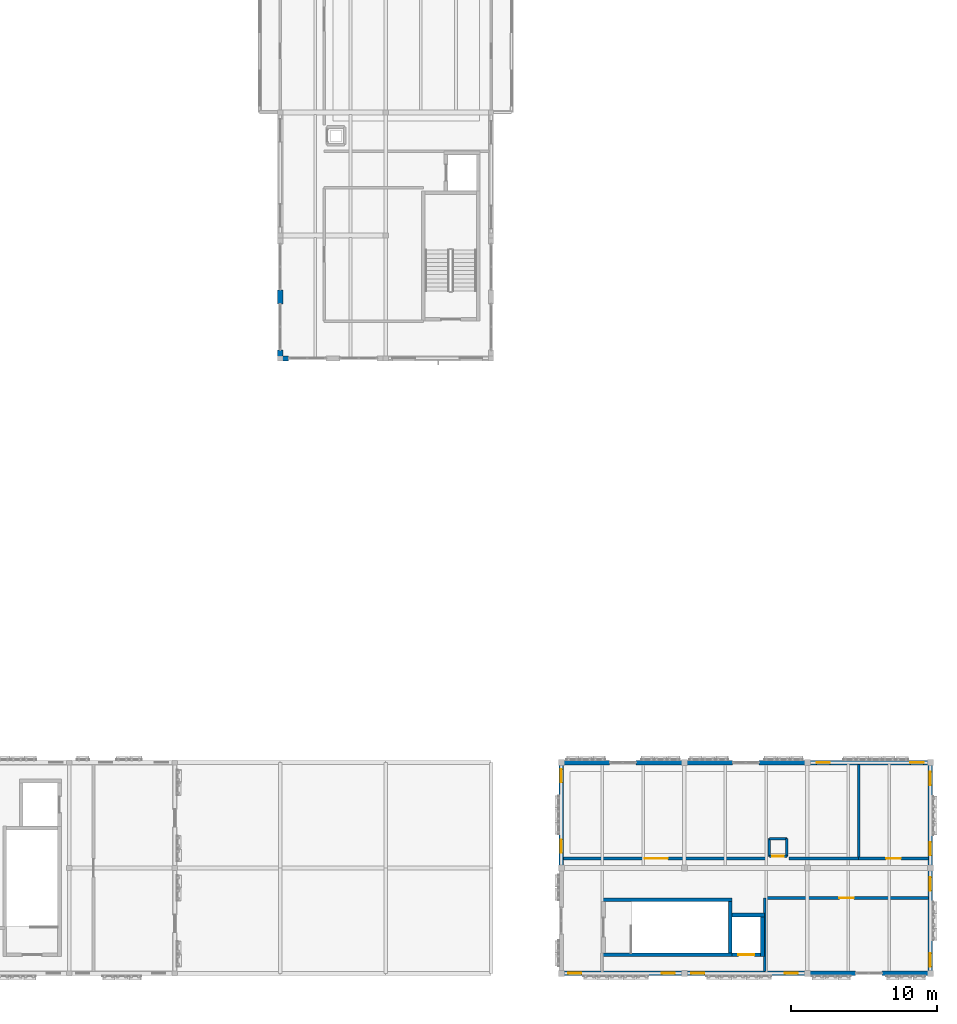
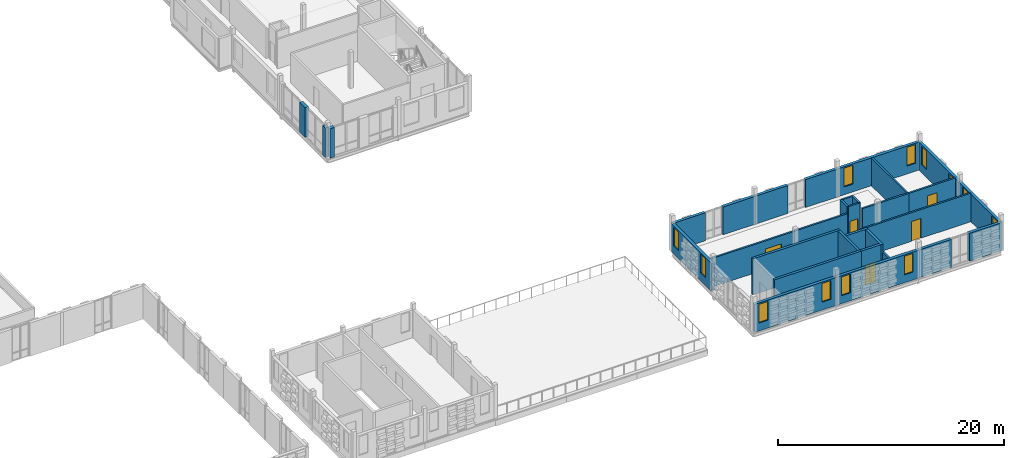
# One storey, part 38 of 57: 31 walls, 12 windows, 5 doors, 17 openings.
"""IFC4 building model written with IfcOpenShell, lengths in metres."""

from ifc_helpers import new_model, si_unit, direction, frame, frame_2d, origin, place, context, subcontext, project, spatial, rectangle, extrude, material, layer, layer_set, type_object, element, fill, save


model = new_model("IFC4")

# Units and contexts
model_context = context("Model", 3, precision=1e-05, world=origin(), true_north=direction((0.0, 1.0)))
body_context = subcontext(model_context, "Body", "Model", "MODEL_VIEW")
ifc_project = project(units=[si_unit("LENGTHUNIT", "METRE"), si_unit("AREAUNIT", "SQUARE_METRE"), si_unit("VOLUMEUNIT", "CUBIC_METRE"), si_unit("PLANEANGLEUNIT", "RADIAN"), si_unit("MASSUNIT", "GRAM", prefix="KILO")], contexts=[model_context])

# Site, building, storey
site_placement = place(None, origin())
site = spatial("IfcSite", under=ifc_project, at=site_placement, CompositionType="ELEMENT")
building_placement = place(site_placement, origin())
building = spatial("IfcBuilding", under=site, at=building_placement, Name="Kahlenmark Community Centre", CompositionType="ELEMENT")
storey_placement = place(building_placement, frame((0.0, 0.0, 13.800048828125)))
storey = spatial("IfcBuildingStorey", under=building, at=storey_placement, Name="L03", CompositionType="ELEMENT", Elevation=13.800048828125)

# Walls
ifc_material_1 = material(Name="Concrete C35/45", Category="concrete")
ifc_layer_1 = layer(ifc_material_1, 0.25)
ifc_layer_set_1 = layer_set([ifc_layer_1], Name="Concrete C35/45")
wall_type_1 = type_object("IfcWallType", Name="WT-CORE-250", PredefinedType="SHEAR", material=ifc_layer_set_1)
for number, where, z_axis, x_axis, name in (
    (1, (94.35009765625, 10.074951171875, 0.0), (0.0, 0.0, 1.0), (1.0, 0.0, 0.0), "Core K7 shear wall WL-CORE-K7-L03-0275"),
    (2, (94.35009765625, 13.824951171875, 0.0), (0.0, 0.0, 1.0), (1.0, 0.0, 0.0), "Core K7 shear wall WL-CORE-K7-L03-0276"),
):
    element("IfcWall", number, at=place(storey_placement, frame(where, z_axis=z_axis, x_axis=x_axis)), inside=storey, type_object=wall_type_1, Name=name, PredefinedType="SHEAR", context=body_context, shape_type="SweptSolid", body=[
        extrude(rectangle(XDim=8.89990234375, YDim=0.25, at=frame_2d((4.449951171875, 0.0))), origin(), (0.0, 0.0, 1.0), 3.89990234375),
    ])
wall_1_placement = place(storey_placement, frame((103.125, 10.199951171875, 0.0), z_axis=(0.0, 0.0, 1.0), x_axis=(0.0, 1.0, 0.0)))
element("IfcWall", 3, at=wall_1_placement, inside=storey, type_object=wall_type_1, Name="Core K7 shear wall WL-CORE-K7-L03-0277", PredefinedType="SHEAR", context=body_context, shape_type="SweptSolid", body=[
    extrude(rectangle(XDim=3.5, YDim=0.25, at=frame_2d((1.75, 0.0))), origin(), (0.0, 0.0, 1.0), 3.89990234375),
])
wall_2_placement = place(storey_placement, frame((103.25, 12.784912109375, 0.0), z_axis=(0.0, 0.0, 1.0), x_axis=(1.0, 0.0, 0.0)))
element("IfcWall", 4, at=wall_2_placement, inside=storey, type_object=wall_type_1, Name="Core K7 shear wall WL-CORE-K7-L03-0278", PredefinedType="SHEAR", context=body_context, shape_type="SweptSolid", body=[
    extrude(rectangle(XDim=2.2099609375, YDim=0.25, at=frame_2d((1.10498046875, 0.0))), origin(), (0.0, 0.0, 1.0), 3.89990234375),
])
wall_3_placement = place(storey_placement, frame((105.3349609375, 9.949951171875, 0.0), z_axis=(0.0, 0.0, 1.0), x_axis=(0.0, 1.0, 0.0)))
element("IfcWall", 5, at=wall_3_placement, inside=storey, type_object=wall_type_1, Name="Core K7 shear wall WL-CORE-K7-L03-0279", PredefinedType="SHEAR", context=body_context, shape_type="SweptSolid", body=[
    extrude(rectangle(XDim=2.9599609375, YDim=0.25, at=frame_2d((1.47998046875, 0.0))), origin(), (0.0, 0.0, 1.0), 3.89990234375),
])

# Wall, opening, door
wall_4_placement = place(storey_placement, frame((103.25, 10.074951171875, 0.0), z_axis=(0.0, 0.0, 1.0), x_axis=(1.0, 0.0, 0.0)))
wall_4 = element("IfcWall", 6, at=wall_4_placement, inside=storey, type_object=wall_type_1, Name="Core K7 shear wall WL-CORE-K7-L03-0280", PredefinedType="SHEAR", context=body_context, shape_type="SweptSolid", body=[
    extrude(rectangle(XDim=1.9599609375, YDim=0.25, at=frame_2d((0.97998046875, 0.0))), origin(), (0.0, 0.0, 1.0), 3.89990234375),
])
opening_1_placement = place(wall_4_placement, frame((0.429931640625, 0.0, -0.010009765625)))
opening_1 = element("IfcOpeningElement", 7, at=opening_1_placement, cuts=wall_4, Name="Opening LD-7", PredefinedType="OPENING", context=body_context, shape_type="SweptSolid", body=[
    extrude(rectangle(XDim=1.10009765625, YDim=2.159912109375, at=frame_2d((0.550048828125, 1.080078125))), frame((0.0, 0.135009765625, 0.0), z_axis=(0.0, -1.0, 0.0), x_axis=(1.0, 0.0, 0.0)), (0.0, 0.0, 1.0), 0.27001953125),
])
ifc_material_2 = material(Name="Brushed stainless steel sliding lift landing door", Category="steel")
door_type_1 = type_object("IfcDoorType", Name="DT-LD-K7", OperationType="SLIDING_TO_LEFT", PredefinedType="DOOR", material=ifc_material_2)
door_1_placement = place(opening_1_placement, frame((0.0, 0.0, 0.010009765625)))
door_1 = element("IfcDoor", 8, at=door_1_placement, inside=storey, type_object=door_type_1, Name="Lift LF-07 sliding landing door L03", OperationType="SLIDING_TO_LEFT", OverallHeight=2.14990234375, OverallWidth=1.10009765625, PredefinedType="DOOR", context=body_context, shape_type="SweptSolid", body=[
    extrude(rectangle(XDim=1.10009765625, YDim=2.14990234375, at=frame_2d((0.550048828125, 1.074951171875))), frame((0.0, 0.02490234375, 0.0), z_axis=(0.0, -1.0, 0.0), x_axis=(1.0, 0.0, 0.0)), (0.0, 0.0, 1.0), 0.050048828125),
])
fill(opening_1, door_1)

# Wall, openings, windows
ifc_material_3 = material(Name="Cross-laminated timber CLT C24", Category="wood")
ifc_layer_2 = layer(ifc_material_3, 0.300048828125)
ifc_layer_set_2 = layer_set([ifc_layer_2], Name="Cross-laminated timber CLT C24")
wall_type_2 = type_object("IfcWallType", Name="WT-EW-300", PredefinedType="SOLIDWALL", material=ifc_layer_set_2)
wall_5_placement = place(storey_placement, frame((91.60009765625, 8.800048828125, 0.0), z_axis=(0.0, 0.0, 1.0), x_axis=(1.0, 0.0, 0.0)))
wall_5 = element("IfcWall", 9, at=wall_5_placement, inside=storey, type_object=wall_type_2, Name="Exterior wall WL-EXT-L03-0625", PredefinedType="SOLIDWALL", context=body_context, shape_type="SweptSolid", body=[
    extrude(rectangle(XDim=8.39990234375, YDim=0.300048828125, at=frame_2d((4.199951171875, 0.0))), origin(), (0.0, 0.0, 1.0), 3.010009765625),
])
opening_2_placement = place(wall_5_placement, frame((0.4599609375, 0.0, 0.85009765625)))
opening_2 = element("IfcOpeningElement", 10, at=opening_2_placement, cuts=wall_5, Name="Opening W-090X202", PredefinedType="OPENING", context=body_context, shape_type="SweptSolid", body=[
    extrude(rectangle(XDim=0.89990234375, YDim=2.02001953125, at=frame_2d((0.449951171875, 1.010009765625))), frame((0.0, 0.159912109375, 0.0), z_axis=(0.0, -1.0, 0.0), x_axis=(1.0, 0.0, 0.0)), (0.0, 0.0, 1.0), 0.320068359375),
])
opening_3_placement = place(wall_5_placement, frame((6.860107421875, 0.0, 0.85009765625)))
opening_3 = element("IfcOpeningElement", 11, at=opening_3_placement, cuts=wall_5, Name="Opening W-090X202", PredefinedType="OPENING", context=body_context, shape_type="SweptSolid", body=[
    extrude(rectangle(XDim=0.89990234375, YDim=2.02001953125, at=frame_2d((0.449951171875, 1.010009765625))), frame((0.0, 0.159912109375, 0.0), z_axis=(0.0, -1.0, 0.0), x_axis=(1.0, 0.0, 0.0)), (0.0, 0.0, 1.0), 0.320068359375),
])
ifc_material_4 = material(Name="Recessed basketweave aperture triple glazing", Category="glass")
window_type = type_object("IfcWindowType", Name="WNT-090X202", PartitioningType="SINGLE_PANEL", PredefinedType="WINDOW", material=ifc_material_4)
window_1_placement = place(opening_2_placement, origin())
window_1 = element("IfcWindow", 12, at=window_1_placement, inside=storey, type_object=window_type, Name="Window W-090X202 #0397", OverallHeight=2.02001953125, OverallWidth=0.89990234375, PartitioningType="SINGLE_PANEL", PredefinedType="WINDOW", context=body_context, shape_type="SweptSolid", body=[
    extrude(rectangle(XDim=0.89990234375, YDim=2.02001953125, at=frame_2d((0.449951171875, 1.010009765625))), frame((0.0, 0.030029296875, 0.0), z_axis=(0.0, -1.0, 0.0), x_axis=(1.0, 0.0, 0.0)), (0.0, 0.0, 1.0), 0.06005859375),
])
fill(opening_2, window_1)
window_2_placement = place(opening_3_placement, origin())
window_2 = element("IfcWindow", 13, at=window_2_placement, inside=storey, type_object=window_type, Name="Window W-090X202 #0398", OverallHeight=2.02001953125, OverallWidth=0.89990234375, PartitioningType="SINGLE_PANEL", PredefinedType="WINDOW", context=body_context, shape_type="SweptSolid", body=[
    extrude(rectangle(XDim=0.89990234375, YDim=2.02001953125, at=frame_2d((0.449951171875, 1.010009765625))), frame((0.0, 0.030029296875, 0.0), z_axis=(0.0, -1.0, 0.0), x_axis=(1.0, 0.0, 0.0)), (0.0, 0.0, 1.0), 0.06005859375),
])
fill(opening_3, window_2)

wall_6_placement = place(storey_placement, frame((100.0, 8.800048828125, 0.0), z_axis=(0.0, 0.0, 1.0), x_axis=(1.0, 0.0, 0.0)))
wall_6 = element("IfcWall", 14, at=wall_6_placement, inside=storey, type_object=wall_type_2, Name="Exterior wall WL-EXT-L03-0626", PredefinedType="SOLIDWALL", context=body_context, shape_type="SweptSolid", body=[
    extrude(rectangle(XDim=8.39990234375, YDim=0.300048828125, at=frame_2d((4.199951171875, 0.0))), origin(), (0.0, 0.0, 1.0), 3.010009765625),
])
opening_4_placement = place(wall_6_placement, frame((0.4599609375, 0.0, 0.85009765625)))
opening_4 = element("IfcOpeningElement", 15, at=opening_4_placement, cuts=wall_6, Name="Opening W-090X202", PredefinedType="OPENING", context=body_context, shape_type="SweptSolid", body=[
    extrude(rectangle(XDim=0.89990234375, YDim=2.02001953125, at=frame_2d((0.449951171875, 1.010009765625))), frame((0.0, 0.159912109375, 0.0), z_axis=(0.0, -1.0, 0.0), x_axis=(1.0, 0.0, 0.0)), (0.0, 0.0, 1.0), 0.320068359375),
])
opening_5_placement = place(wall_6_placement, frame((6.860107421875, 0.0, 0.85009765625)))
opening_5 = element("IfcOpeningElement", 16, at=opening_5_placement, cuts=wall_6, Name="Opening W-090X202", PredefinedType="OPENING", context=body_context, shape_type="SweptSolid", body=[
    extrude(rectangle(XDim=0.89990234375, YDim=2.02001953125, at=frame_2d((0.449951171875, 1.010009765625))), frame((0.0, 0.159912109375, 0.0), z_axis=(0.0, -1.0, 0.0), x_axis=(1.0, 0.0, 0.0)), (0.0, 0.0, 1.0), 0.320068359375),
])
window_3_placement = place(opening_4_placement, origin())
window_3 = element("IfcWindow", 17, at=window_3_placement, inside=storey, type_object=window_type, Name="Window W-090X202 #0399", OverallHeight=2.02001953125, OverallWidth=0.89990234375, PartitioningType="SINGLE_PANEL", PredefinedType="WINDOW", context=body_context, shape_type="SweptSolid", body=[
    extrude(rectangle(XDim=0.89990234375, YDim=2.02001953125, at=frame_2d((0.449951171875, 1.010009765625))), frame((0.0, 0.030029296875, 0.0), z_axis=(0.0, -1.0, 0.0), x_axis=(1.0, 0.0, 0.0)), (0.0, 0.0, 1.0), 0.06005859375),
])
fill(opening_4, window_3)
window_4_placement = place(opening_5_placement, origin())
window_4 = element("IfcWindow", 18, at=window_4_placement, inside=storey, type_object=window_type, Name="Window W-090X202 #0400", OverallHeight=2.02001953125, OverallWidth=0.89990234375, PartitioningType="SINGLE_PANEL", PredefinedType="WINDOW", context=body_context, shape_type="SweptSolid", body=[
    extrude(rectangle(XDim=0.89990234375, YDim=2.02001953125, at=frame_2d((0.449951171875, 1.010009765625))), frame((0.0, 0.030029296875, 0.0), z_axis=(0.0, -1.0, 0.0), x_axis=(1.0, 0.0, 0.0)), (0.0, 0.0, 1.0), 0.06005859375),
])
fill(opening_5, window_4)

# Walls
for number, where, z_axis, x_axis, name in (
    (19, (108.39990234375, 8.800048828125, 0.0), (0.0, 0.0, 1.0), (1.0, 0.0, 0.0), "Basketweave backup wall WL-EXT-L03-0627"),
    (20, (113.5, 8.800048828125, 0.0), (0.0, 0.0, 1.0), (1.0, 0.0, 0.0), "Basketweave backup wall WL-EXT-L03-0628"),
    (21, (100.0, 23.199951171875, 0.0), (0.0, 0.0, 1.0), (-1.0, 0.0, 0.0), "Basketweave backup wall WL-EXT-L03-0629"),
):
    element("IfcWall", number, at=place(storey_placement, frame(where, z_axis=z_axis, x_axis=x_axis)), inside=storey, type_object=wall_type_2, Name=name, PredefinedType="SOLIDWALL", context=body_context, shape_type="SweptSolid", body=[
        extrude(rectangle(XDim=3.300048828125, YDim=0.300048828125, at=frame_2d((1.64990234375, 0.0))), origin(), (0.0, 0.0, 1.0), 3.010009765625),
    ])
for number, where, z_axis, x_axis, name in (
    (22, (94.89990234375, 23.199951171875, 0.0), (0.0, 0.0, 1.0), (-1.0, 0.0, 0.0), "Basketweave backup wall WL-EXT-L03-0630"),
    (23, (108.39990234375, 23.199951171875, 0.0), (0.0, 0.0, 1.0), (-1.0, 0.0, 0.0), "Basketweave backup wall WL-EXT-L03-0631"),
):
    element("IfcWall", number, at=place(storey_placement, frame(where, z_axis=z_axis, x_axis=x_axis)), inside=storey, type_object=wall_type_2, Name=name, PredefinedType="SOLIDWALL", context=body_context, shape_type="SweptSolid", body=[
        extrude(rectangle(XDim=3.2998046875, YDim=0.300048828125, at=frame_2d((1.64990234375, 0.0))), origin(), (0.0, 0.0, 1.0), 3.010009765625),
    ])
wall_7_placement = place(storey_placement, frame((103.300048828125, 23.199951171875, 0.0), z_axis=(0.0, 0.0, 1.0), x_axis=(-1.0, 0.0, 0.0)))
element("IfcWall", 24, at=wall_7_placement, inside=storey, type_object=wall_type_2, Name="Basketweave backup wall WL-EXT-L03-0632", PredefinedType="SOLIDWALL", context=body_context, shape_type="SweptSolid", body=[
    extrude(rectangle(XDim=3.300048828125, YDim=0.300048828125, at=frame_2d((1.64990234375, 0.0))), origin(), (0.0, 0.0, 1.0), 3.010009765625),
])

# Wall, openings, windows
wall_8_placement = place(storey_placement, frame((116.800048828125, 23.199951171875, 0.0), z_axis=(0.0, 0.0, 1.0), x_axis=(-1.0, 0.0, 0.0)))
wall_8 = element("IfcWall", 25, at=wall_8_placement, inside=storey, type_object=wall_type_2, Name="Exterior wall WL-EXT-L03-0633", PredefinedType="SOLIDWALL", context=body_context, shape_type="SweptSolid", body=[
    extrude(rectangle(XDim=8.400146484375, YDim=0.300048828125, at=frame_2d((4.2001953125, 0.0))), origin(), (0.0, 0.0, 1.0), 3.010009765625),
])
opening_6_placement = place(wall_8_placement, frame((0.4599609375, 0.0, 0.85009765625)))
opening_6 = element("IfcOpeningElement", 26, at=opening_6_placement, cuts=wall_8, Name="Opening W-090X202", PredefinedType="OPENING", context=body_context, shape_type="SweptSolid", body=[
    extrude(rectangle(XDim=0.89990234375, YDim=2.02001953125, at=frame_2d((0.449951171875, 1.010009765625))), frame((0.0, 0.159912109375, 0.0), z_axis=(0.0, -1.0, 0.0), x_axis=(1.0, 0.0, 0.0)), (0.0, 0.0, 1.0), 0.320068359375),
])
opening_7_placement = place(wall_8_placement, frame((6.860107421875, 0.0, 0.85009765625)))
opening_7 = element("IfcOpeningElement", 27, at=opening_7_placement, cuts=wall_8, Name="Opening W-090X202", PredefinedType="OPENING", context=body_context, shape_type="SweptSolid", body=[
    extrude(rectangle(XDim=0.89990234375, YDim=2.02001953125, at=frame_2d((0.449951171875, 1.010009765625))), frame((0.0, 0.159912109375, 0.0), z_axis=(0.0, -1.0, 0.0), x_axis=(1.0, 0.0, 0.0)), (0.0, 0.0, 1.0), 0.320068359375),
])
window_5_placement = place(opening_6_placement, origin())
window_5 = element("IfcWindow", 28, at=window_5_placement, inside=storey, type_object=window_type, Name="Window W-090X202 #0401", OverallHeight=2.02001953125, OverallWidth=0.89990234375, PartitioningType="SINGLE_PANEL", PredefinedType="WINDOW", context=body_context, shape_type="SweptSolid", body=[
    extrude(rectangle(XDim=0.89990234375, YDim=2.02001953125, at=frame_2d((0.449951171875, 1.010009765625))), frame((0.0, 0.030029296875, 0.0), z_axis=(0.0, -1.0, 0.0), x_axis=(1.0, 0.0, 0.0)), (0.0, 0.0, 1.0), 0.06005859375),
])
fill(opening_6, window_5)
window_6_placement = place(opening_7_placement, origin())
window_6 = element("IfcWindow", 29, at=window_6_placement, inside=storey, type_object=window_type, Name="Window W-090X202 #0402", OverallHeight=2.02001953125, OverallWidth=0.89990234375, PartitioningType="SINGLE_PANEL", PredefinedType="WINDOW", context=body_context, shape_type="SweptSolid", body=[
    extrude(rectangle(XDim=0.89990234375, YDim=2.02001953125, at=frame_2d((0.449951171875, 1.010009765625))), frame((0.0, 0.030029296875, 0.0), z_axis=(0.0, -1.0, 0.0), x_axis=(1.0, 0.0, 0.0)), (0.0, 0.0, 1.0), 0.06005859375),
])
fill(opening_7, window_6)

wall_9_placement = place(storey_placement, frame((91.60009765625, 23.199951171875, 0.0), z_axis=(0.0, 0.0, 1.0), x_axis=(0.0, -1.0, 0.0)))
wall_9 = element("IfcWall", 30, at=wall_9_placement, inside=storey, type_object=wall_type_2, Name="Exterior wall WL-EXT-L03-0636", PredefinedType="SOLIDWALL", context=body_context, shape_type="SweptSolid", body=[
    extrude(rectangle(XDim=7.199951171875, YDim=0.300048828125, at=frame_2d((3.60009765625, 0.0))), origin(), (0.0, 0.0, 1.0), 3.010009765625),
])
opening_8_placement = place(wall_9_placement, frame((0.4599609375, 0.0, 0.85009765625)))
opening_8 = element("IfcOpeningElement", 31, at=opening_8_placement, cuts=wall_9, Name="Opening W-090X202", PredefinedType="OPENING", context=body_context, shape_type="SweptSolid", body=[
    extrude(rectangle(XDim=0.89990234375, YDim=2.02001953125, at=frame_2d((0.449951171875, 1.010009765625))), frame((0.0, 0.159912109375, 0.0), z_axis=(0.0, -1.0, 0.0), x_axis=(1.0, 0.0, 0.0)), (0.0, 0.0, 1.0), 0.320068359375),
])
opening_9_placement = place(wall_9_placement, frame((5.260009765625, 0.0, 0.85009765625)))
opening_9 = element("IfcOpeningElement", 32, at=opening_9_placement, cuts=wall_9, Name="Opening W-090X202", PredefinedType="OPENING", context=body_context, shape_type="SweptSolid", body=[
    extrude(rectangle(XDim=0.89990234375, YDim=2.02001953125, at=frame_2d((0.449951171875, 1.010009765625))), frame((0.0, 0.159912109375, 0.0), z_axis=(0.0, -1.0, 0.0), x_axis=(1.0, 0.0, 0.0)), (0.0, 0.0, 1.0), 0.320068359375),
])
window_7_placement = place(opening_8_placement, origin())
window_7 = element("IfcWindow", 33, at=window_7_placement, inside=storey, type_object=window_type, Name="Window W-090X202 #0403", OverallHeight=2.02001953125, OverallWidth=0.89990234375, PartitioningType="SINGLE_PANEL", PredefinedType="WINDOW", context=body_context, shape_type="SweptSolid", body=[
    extrude(rectangle(XDim=0.89990234375, YDim=2.02001953125, at=frame_2d((0.449951171875, 1.010009765625))), frame((0.0, 0.030029296875, 0.0), z_axis=(0.0, -1.0, 0.0), x_axis=(1.0, 0.0, 0.0)), (0.0, 0.0, 1.0), 0.06005859375),
])
fill(opening_8, window_7)
window_8_placement = place(opening_9_placement, origin())
window_8 = element("IfcWindow", 34, at=window_8_placement, inside=storey, type_object=window_type, Name="Window W-090X202 #0404", OverallHeight=2.02001953125, OverallWidth=0.89990234375, PartitioningType="SINGLE_PANEL", PredefinedType="WINDOW", context=body_context, shape_type="SweptSolid", body=[
    extrude(rectangle(XDim=0.89990234375, YDim=2.02001953125, at=frame_2d((0.449951171875, 1.010009765625))), frame((0.0, 0.030029296875, 0.0), z_axis=(0.0, -1.0, 0.0), x_axis=(1.0, 0.0, 0.0)), (0.0, 0.0, 1.0), 0.06005859375),
])
fill(opening_9, window_8)

wall_10_placement = place(storey_placement, frame((116.800048828125, 8.800048828125, 0.0), z_axis=(0.0, 0.0, 1.0), x_axis=(0.0, 1.0, 0.0)))
wall_10 = element("IfcWall", 35, at=wall_10_placement, inside=storey, type_object=wall_type_2, Name="Exterior wall WL-EXT-L03-0637", PredefinedType="SOLIDWALL", context=body_context, shape_type="SweptSolid", body=[
    extrude(rectangle(XDim=7.199951171875, YDim=0.300048828125, at=frame_2d((3.60009765625, 0.0))), origin(), (0.0, 0.0, 1.0), 3.010009765625),
])
opening_10_placement = place(wall_10_placement, frame((0.4599609375, 0.0, 0.85009765625)))
opening_10 = element("IfcOpeningElement", 36, at=opening_10_placement, cuts=wall_10, Name="Opening W-090X202", PredefinedType="OPENING", context=body_context, shape_type="SweptSolid", body=[
    extrude(rectangle(XDim=0.89990234375, YDim=2.02001953125, at=frame_2d((0.449951171875, 1.010009765625))), frame((0.0, 0.159912109375, 0.0), z_axis=(0.0, -1.0, 0.0), x_axis=(1.0, 0.0, 0.0)), (0.0, 0.0, 1.0), 0.320068359375),
])
opening_11_placement = place(wall_10_placement, frame((5.659912109375, 0.0, 0.85009765625)))
opening_11 = element("IfcOpeningElement", 37, at=opening_11_placement, cuts=wall_10, Name="Opening W-090X202", PredefinedType="OPENING", context=body_context, shape_type="SweptSolid", body=[
    extrude(rectangle(XDim=0.89990234375, YDim=2.02001953125, at=frame_2d((0.449951171875, 1.010009765625))), frame((0.0, 0.159912109375, 0.0), z_axis=(0.0, -1.0, 0.0), x_axis=(1.0, 0.0, 0.0)), (0.0, 0.0, 1.0), 0.320068359375),
])
window_9_placement = place(opening_10_placement, origin())
window_9 = element("IfcWindow", 38, at=window_9_placement, inside=storey, type_object=window_type, Name="Window W-090X202 #0405", OverallHeight=2.02001953125, OverallWidth=0.89990234375, PartitioningType="SINGLE_PANEL", PredefinedType="WINDOW", context=body_context, shape_type="SweptSolid", body=[
    extrude(rectangle(XDim=0.89990234375, YDim=2.02001953125, at=frame_2d((0.449951171875, 1.010009765625))), frame((0.0, 0.030029296875, 0.0), z_axis=(0.0, -1.0, 0.0), x_axis=(1.0, 0.0, 0.0)), (0.0, 0.0, 1.0), 0.06005859375),
])
fill(opening_10, window_9)
window_10_placement = place(opening_11_placement, origin())
window_10 = element("IfcWindow", 39, at=window_10_placement, inside=storey, type_object=window_type, Name="Window W-090X202 #0406", OverallHeight=2.02001953125, OverallWidth=0.89990234375, PartitioningType="SINGLE_PANEL", PredefinedType="WINDOW", context=body_context, shape_type="SweptSolid", body=[
    extrude(rectangle(XDim=0.89990234375, YDim=2.02001953125, at=frame_2d((0.449951171875, 1.010009765625))), frame((0.0, 0.030029296875, 0.0), z_axis=(0.0, -1.0, 0.0), x_axis=(1.0, 0.0, 0.0)), (0.0, 0.0, 1.0), 0.06005859375),
])
fill(opening_11, window_10)

wall_11_placement = place(storey_placement, frame((116.800048828125, 16.0, 0.0), z_axis=(0.0, 0.0, 1.0), x_axis=(0.0, 1.0, 0.0)))
wall_11 = element("IfcWall", 40, at=wall_11_placement, inside=storey, type_object=wall_type_2, Name="Exterior wall WL-EXT-L03-0638", PredefinedType="SOLIDWALL", context=body_context, shape_type="SweptSolid", body=[
    extrude(rectangle(XDim=7.199951171875, YDim=0.300048828125, at=frame_2d((3.60009765625, 0.0))), origin(), (0.0, 0.0, 1.0), 3.010009765625),
])
opening_12_placement = place(wall_11_placement, frame((0.860107421875, 0.0, 0.85009765625)))
opening_12 = element("IfcOpeningElement", 41, at=opening_12_placement, cuts=wall_11, Name="Opening W-090X202", PredefinedType="OPENING", context=body_context, shape_type="SweptSolid", body=[
    extrude(rectangle(XDim=0.89990234375, YDim=2.02001953125, at=frame_2d((0.449951171875, 1.010009765625))), frame((0.0, 0.159912109375, 0.0), z_axis=(0.0, -1.0, 0.0), x_axis=(1.0, 0.0, 0.0)), (0.0, 0.0, 1.0), 0.320068359375),
])
opening_13_placement = place(wall_11_placement, frame((5.659912109375, 0.0, 0.85009765625)))
opening_13 = element("IfcOpeningElement", 42, at=opening_13_placement, cuts=wall_11, Name="Opening W-090X202", PredefinedType="OPENING", context=body_context, shape_type="SweptSolid", body=[
    extrude(rectangle(XDim=0.89990234375, YDim=2.02001953125, at=frame_2d((0.449951171875, 1.010009765625))), frame((0.0, 0.159912109375, 0.0), z_axis=(0.0, -1.0, 0.0), x_axis=(1.0, 0.0, 0.0)), (0.0, 0.0, 1.0), 0.320068359375),
])
window_11_placement = place(opening_12_placement, origin())
window_11 = element("IfcWindow", 43, at=window_11_placement, inside=storey, type_object=window_type, Name="Window W-090X202 #0407", OverallHeight=2.02001953125, OverallWidth=0.89990234375, PartitioningType="SINGLE_PANEL", PredefinedType="WINDOW", context=body_context, shape_type="SweptSolid", body=[
    extrude(rectangle(XDim=0.89990234375, YDim=2.02001953125, at=frame_2d((0.449951171875, 1.010009765625))), frame((0.0, 0.030029296875, 0.0), z_axis=(0.0, -1.0, 0.0), x_axis=(1.0, 0.0, 0.0)), (0.0, 0.0, 1.0), 0.06005859375),
])
fill(opening_12, window_11)
window_12_placement = place(opening_13_placement, origin())
window_12 = element("IfcWindow", 44, at=window_12_placement, inside=storey, type_object=window_type, Name="Window W-090X202 #0408", OverallHeight=2.02001953125, OverallWidth=0.89990234375, PartitioningType="SINGLE_PANEL", PredefinedType="WINDOW", context=body_context, shape_type="SweptSolid", body=[
    extrude(rectangle(XDim=0.89990234375, YDim=2.02001953125, at=frame_2d((0.449951171875, 1.010009765625))), frame((0.0, 0.030029296875, 0.0), z_axis=(0.0, -1.0, 0.0), x_axis=(1.0, 0.0, 0.0)), (0.0, 0.0, 1.0), 0.06005859375),
])
fill(opening_13, window_12)

# Walls
ifc_material_5 = material(Name="Danube limestone masonry", Category="masonry")
ifc_layer_3 = layer(ifc_material_5, 0.360107421875)
ifc_layer_set_3 = layer_set([ifc_layer_3], Name="Danube limestone masonry")
wall_type_3 = type_object("IfcWallType", Name="WT-EW-360", PredefinedType="SOLIDWALL", material=ifc_layer_set_3)
wall_12_placement = place(storey_placement, frame((72.530029296875, 50.800048828125, 0.0), z_axis=(0.0, 0.0, 1.0), x_axis=(1.0, 0.0, 0.0)))
element("IfcWall", 45, at=wall_12_placement, inside=storey, type_object=wall_type_3, Name="Column closure pier 0611", PredefinedType="SOLIDWALL", context=body_context, shape_type="SweptSolid", body=[
    extrude(rectangle(XDim=0.449951171875, YDim=0.360107421875, at=frame_2d((0.22509765625, 0.0))), origin(), (0.0, 0.0, 1.0), 3.169921875),
])
wall_13_placement = place(storey_placement, frame((72.39990234375, 55.47998046875, 0.0), z_axis=(0.0, 0.0, 1.0), x_axis=(0.0, -1.0, 0.0)))
element("IfcWall", 46, at=wall_13_placement, inside=storey, type_object=wall_type_3, Name="Postmodern limestone pier 0614", PredefinedType="SOLIDWALL", context=body_context, shape_type="SweptSolid", body=[
    extrude(rectangle(XDim=0.9599609375, YDim=0.360107421875, at=frame_2d((0.47998046875, 0.0))), origin(), (0.0, 0.0, 1.0), 3.199951171875),
])
wall_14_placement = place(storey_placement, frame((72.39990234375, 51.3798828125, 0.0), z_axis=(0.0, 0.0, 1.0), x_axis=(0.0, -1.0, 0.0)))
element("IfcWall", 47, at=wall_14_placement, inside=storey, type_object=wall_type_3, Name="Column closure pier 0616", PredefinedType="SOLIDWALL", context=body_context, shape_type="SweptSolid", body=[
    extrude(rectangle(XDim=0.449951171875, YDim=0.360107421875, at=frame_2d((0.22509765625, 0.0))), origin(), (0.0, 0.0, 1.0), 3.199951171875),
])
ifc_material_6 = material(Name="Gypsum plasterboard partition", Category="gypsum")
ifc_layer_4 = layer(ifc_material_6, 0.179931640625)
ifc_layer_set_4 = layer_set([ifc_layer_4], Name="Gypsum plasterboard partition")
wall_type_4 = type_object("IfcWallType", Name="WT-PW-180", PredefinedType="PARTITIONING", material=ifc_layer_set_4)
wall_15_placement = place(storey_placement, frame((105.5, 8.93994140625, 0.0), z_axis=(0.0, 0.0, 1.0), x_axis=(0.0, 1.0, 0.0)))
element("IfcWall", 48, at=wall_15_placement, inside=storey, type_object=wall_type_4, Name="Interior partition WL-INT-L03-0219", PredefinedType="PARTITIONING", context=body_context, shape_type="SweptSolid", body=[
    extrude(rectangle(XDim=5.010009765625, YDim=0.179931640625, at=frame_2d((2.5048828125, 0.0))), origin(), (0.0, 0.0, 1.0), 3.010009765625),
])

# Wall, opening, door
wall_16_placement = place(storey_placement, frame((105.5, 13.949951171875, 0.0), z_axis=(0.0, 0.0, 1.0), x_axis=(1.0, 0.0, 0.0)))
wall_16 = element("IfcWall", 49, at=wall_16_placement, inside=storey, type_object=wall_type_4, Name="Interior partition WL-INT-L03-0220", PredefinedType="PARTITIONING", context=body_context, shape_type="SweptSolid", body=[
    extrude(rectangle(XDim=11.159912109375, YDim=0.179931640625, at=frame_2d((5.580078125, 0.0))), origin(), (0.0, 0.0, 1.0), 3.08984375),
])
opening_14_placement = place(wall_16_placement, frame((5.080078125, 0.0, -0.010009765625)))
opening_14 = element("IfcOpeningElement", 50, at=opening_14_placement, cuts=wall_16, Name="Opening D-L03-126", PredefinedType="OPENING", context=body_context, shape_type="SweptSolid", body=[
    extrude(rectangle(XDim=1.0, YDim=2.159912109375, at=frame_2d((0.5, 1.080078125))), frame((0.0, 0.099853515625, 0.0), z_axis=(0.0, -1.0, 0.0), x_axis=(1.0, 0.0, 0.0)), (0.0, 0.0, 1.0), 0.199951171875),
])
ifc_material_7 = material(Name="Oak timber veneer door leaf", Category="wood")
door_type_2 = type_object("IfcDoorType", Name="DT-INT-100X215", OperationType="NOTDEFINED", PredefinedType="DOOR", material=ifc_material_7)
door_2_placement = place(opening_14_placement, frame((1.0, 0.0, 0.010009765625), z_axis=(0.0, 0.0, 1.0), x_axis=(-1.0, 0.0, 0.0)))
door_2 = element("IfcDoor", 51, at=door_2_placement, inside=storey, type_object=door_type_2, Name="Interior door D-L03-126", OperationType="SINGLE_SWING_LEFT", OverallHeight=2.14990234375, OverallWidth=1.0, PredefinedType="DOOR", context=body_context, shape_type="SweptSolid", body=[
    extrude(rectangle(XDim=1.0, YDim=2.14990234375, at=frame_2d((0.5, 1.074951171875))), frame((0.0, 0.02490234375, 0.0), z_axis=(0.0, -1.0, 0.0), x_axis=(1.0, 0.0, 0.0)), (0.0, 0.0, 1.0), 0.050048828125),
])
fill(opening_14, door_2)

wall_17_placement = place(storey_placement, frame((91.739990234375, 16.64990234375, 0.0), z_axis=(0.0, 0.0, 1.0), x_axis=(1.0, 0.0, 0.0)))
wall_17 = element("IfcWall", 52, at=wall_17_placement, inside=storey, type_object=wall_type_4, Name="Interior partition WL-INT-L03-0221", PredefinedType="PARTITIONING", context=body_context, shape_type="SweptSolid", body=[
    extrude(rectangle(XDim=13.909912109375, YDim=0.179931640625, at=frame_2d((6.955078125, 0.0))), origin(), (0.0, 0.0, 1.0), 3.08984375),
])
opening_15_placement = place(wall_17_placement, frame((5.5400390625, 0.0, -0.010009765625)))
opening_15 = element("IfcOpeningElement", 53, at=opening_15_placement, cuts=wall_17, Name="Opening D-L03-127", PredefinedType="OPENING", context=body_context, shape_type="SweptSolid", body=[
    extrude(rectangle(XDim=1.60009765625, YDim=2.2099609375, at=frame_2d((0.800048828125, 1.10498046875))), frame((0.0, 0.099853515625, 0.0), z_axis=(0.0, -1.0, 0.0), x_axis=(1.0, 0.0, 0.0)), (0.0, 0.0, 1.0), 0.199951171875),
])
ifc_material_8 = material(Name="Oak double-leaf acoustic door")
door_type_3 = type_object("IfcDoorType", Name="DT-DBL-160X220", OperationType="NOTDEFINED", PredefinedType="DOOR", material=ifc_material_8)
door_3_placement = place(opening_15_placement, frame((0.0, 0.0, 0.010009765625)))
door_3 = element("IfcDoor", 54, at=door_3_placement, inside=storey, type_object=door_type_3, Name="Interior door D-L03-127", OperationType="DOUBLE_SWING_LEFT", OverallHeight=2.199951171875, OverallWidth=1.60009765625, PredefinedType="DOOR", context=body_context, shape_type="SweptSolid", body=[
    extrude(rectangle(XDim=1.60009765625, YDim=2.199951171875, at=frame_2d((0.800048828125, 1.10009765625))), frame((0.0, 0.02490234375, 0.0), z_axis=(0.0, -1.0, 0.0), x_axis=(1.0, 0.0, 0.0)), (0.0, 0.0, 1.0), 0.050048828125),
])
fill(opening_15, door_3)

# Wall
wall_18_placement = place(storey_placement, frame((107.14990234375, 16.64990234375, 0.0), z_axis=(0.0, 0.0, 1.0), x_axis=(1.0, 0.0, 0.0)))
element("IfcWall", 55, at=wall_18_placement, inside=storey, type_object=wall_type_4, Name="Interior partition WL-INT-L03-0222", PredefinedType="PARTITIONING", context=body_context, shape_type="SweptSolid", body=[
    extrude(rectangle(XDim=4.75, YDim=0.179931640625, at=frame_2d((2.375, 0.0))), origin(), (0.0, 0.0, 1.0), 3.08984375),
])

# Wall, opening, door
wall_19_placement = place(storey_placement, frame((111.89990234375, 16.64990234375, 0.0), z_axis=(0.0, 0.0, 1.0), x_axis=(1.0, 0.0, 0.0)))
wall_19 = element("IfcWall", 56, at=wall_19_placement, inside=storey, type_object=wall_type_4, Name="Interior partition WL-INT-L03-0223", PredefinedType="PARTITIONING", context=body_context, shape_type="SweptSolid", body=[
    extrude(rectangle(XDim=4.760009765625, YDim=0.179931640625, at=frame_2d((2.3798828125, 0.0))), origin(), (0.0, 0.0, 1.0), 3.08984375),
])
opening_16_placement = place(wall_19_placement, frame((1.8798828125, 0.0, -0.010009765625)))
opening_16 = element("IfcOpeningElement", 57, at=opening_16_placement, cuts=wall_19, Name="Opening D-L03-128", PredefinedType="OPENING", context=body_context, shape_type="SweptSolid", body=[
    extrude(rectangle(XDim=1.0, YDim=2.159912109375, at=frame_2d((0.5, 1.080078125))), frame((0.0, 0.099853515625, 0.0), z_axis=(0.0, -1.0, 0.0), x_axis=(1.0, 0.0, 0.0)), (0.0, 0.0, 1.0), 0.199951171875),
])
door_4_placement = place(opening_16_placement, frame((0.0, 0.0, 0.010009765625)))
door_4 = element("IfcDoor", 58, at=door_4_placement, inside=storey, type_object=door_type_2, Name="Interior door D-L03-128", OperationType="SINGLE_SWING_LEFT", OverallHeight=2.14990234375, OverallWidth=1.0, PredefinedType="DOOR", context=body_context, shape_type="SweptSolid", body=[
    extrude(rectangle(XDim=1.0, YDim=2.14990234375, at=frame_2d((0.5, 1.074951171875))), frame((0.0, 0.02490234375, 0.0), z_axis=(0.0, -1.0, 0.0), x_axis=(1.0, 0.0, 0.0)), (0.0, 0.0, 1.0), 0.050048828125),
])
fill(opening_16, door_4)

# Wall
wall_20_placement = place(storey_placement, frame((111.89990234375, 16.64990234375, 0.0), z_axis=(0.0, 0.0, 1.0), x_axis=(0.0, 1.0, 0.0)))
element("IfcWall", 59, at=wall_20_placement, inside=storey, type_object=wall_type_4, Name="Interior partition WL-INT-L03-0224", PredefinedType="PARTITIONING", context=body_context, shape_type="SweptSolid", body=[
    extrude(rectangle(XDim=6.41015625, YDim=0.179931640625, at=frame_2d((3.205078125, 0.0))), origin(), (0.0, 0.0, 1.0), 3.010009765625),
])

# Wall, opening, door
ifc_material_9 = material(Name="Masonry blockwork", Category="masonry")
ifc_layer_5 = layer(ifc_material_9, 0.179931640625)
ifc_layer_set_5 = layer_set([ifc_layer_5], Name="Masonry blockwork")
wall_type_5 = type_object("IfcWallType", Name="WT-RISER-180", PredefinedType="SOLIDWALL", material=ifc_layer_set_5)
wall_21_placement = place(storey_placement, frame((105.800048828125, 16.800048828125, 0.0), z_axis=(0.0, 0.0, 1.0), x_axis=(1.0, 0.0, 0.0)))
wall_21 = element("IfcWall", 60, at=wall_21_placement, inside=storey, type_object=wall_type_5, Name="Riser RS-04 shaft wall L03.1", PredefinedType="SOLIDWALL", context=body_context, shape_type="SweptSolid", body=[
    extrude(rectangle(XDim=1.199951171875, YDim=0.179931640625, at=frame_2d((0.60009765625, 0.0))), origin(), (0.0, 0.0, 1.0), 3.68994140625),
])
opening_17_placement = place(wall_21_placement, frame((0.199951171875, 0.0, -0.010009765625)))
opening_17 = element("IfcOpeningElement", 61, at=opening_17_placement, cuts=wall_21, Name="Opening FD-RS80", PredefinedType="OPENING", context=body_context, shape_type="SweptSolid", body=[
    extrude(rectangle(XDim=0.800048828125, YDim=2.06005859375, at=frame_2d((0.39990234375, 1.030029296875))), frame((0.0, 0.099853515625, 0.0), z_axis=(0.0, -1.0, 0.0), x_axis=(1.0, 0.0, 0.0)), (0.0, 0.0, 1.0), 0.199951171875),
])
ifc_material_10 = material(Name="Fire-rated steel service riser door FD60S", Category="steel")
door_type_4 = type_object("IfcDoorType", Name="DT-RISER-80X205", OperationType="NOTDEFINED", PredefinedType="DOOR", material=ifc_material_10)
door_5_placement = place(opening_17_placement, frame((0.0, 0.0, 0.010009765625)))
door_5 = element("IfcDoor", 62, at=door_5_placement, inside=storey, type_object=door_type_4, Name="Riser RS-04 access door L03", OperationType="SINGLE_SWING_LEFT", OverallHeight=2.050048828125, OverallWidth=0.800048828125, PredefinedType="DOOR", context=body_context, shape_type="SweptSolid", body=[
    extrude(rectangle(XDim=0.800048828125, YDim=2.050048828125, at=frame_2d((0.39990234375, 1.02490234375))), frame((0.0, 0.02490234375, 0.0), z_axis=(0.0, -1.0, 0.0), x_axis=(1.0, 0.0, 0.0)), (0.0, 0.0, 1.0), 0.050048828125),
])
fill(opening_17, door_5)

# Walls
for number, where, z_axis, x_axis, name in (
    (63, (107.0, 16.800048828125, 0.0), (0.0, 0.0, 1.0), (0.0, 1.0, 0.0), "Riser RS-04 shaft wall L03.2"),
    (64, (107.0, 18.0, 0.0), (0.0, 0.0, 1.0), (-1.0, 0.0, 0.0), "Riser RS-04 shaft wall L03.3"),
    (65, (105.800048828125, 18.0, 0.0), (0.0, 0.0, 1.0), (0.0, -1.0, 0.0), "Riser RS-04 shaft wall L03.4"),
):
    element("IfcWall", number, at=place(storey_placement, frame(where, z_axis=z_axis, x_axis=x_axis)), inside=storey, type_object=wall_type_5, Name=name, PredefinedType="SOLIDWALL", context=body_context, shape_type="SweptSolid", body=[
        extrude(rectangle(XDim=1.199951171875, YDim=0.179931640625, at=frame_2d((0.60009765625, 0.0))), origin(), (0.0, 0.0, 1.0), 3.68994140625),
    ])

save(model, "model.ifc")
